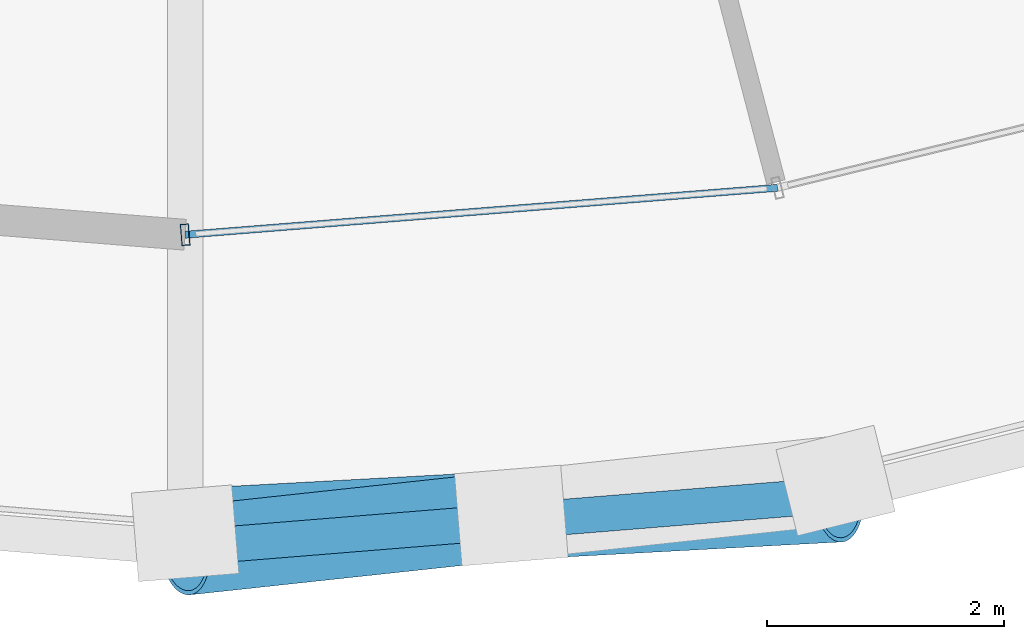
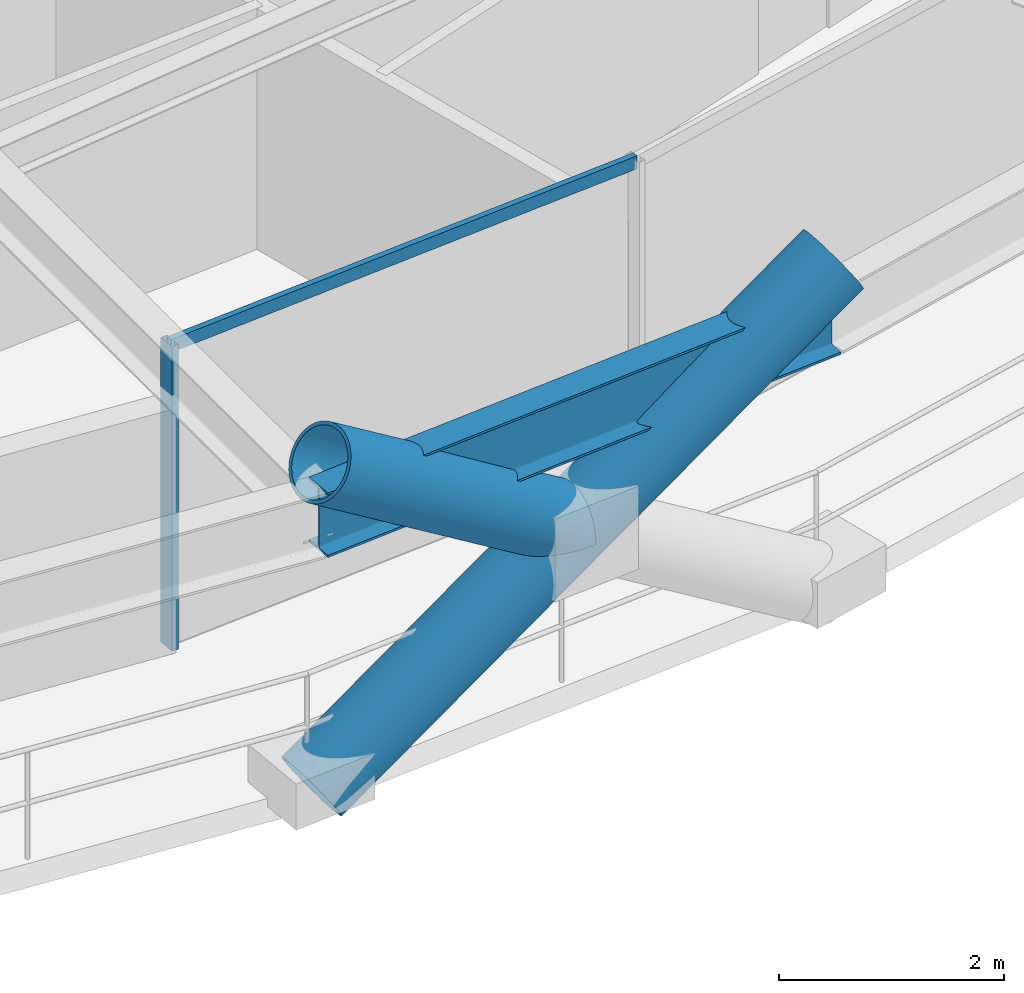
# One storey, part 5 of 19: 4 members, 1 beam, 1 element without a shape of its own.
"""IFC4 building model written with IfcOpenShell, lengths in metres."""

from ifc_helpers import new_model, si_unit, direction, frame, origin, origin_2d, place, context, subcontext, project, spatial, hollow_rectangle, hollow_circle, i_section, extrude, material, layer, layer_set, material_profile, profile_set, type_object, element, aggregate, save


model = new_model("IFC4")

# Units and contexts
model_context = context("Model", 3, precision=1e-05, world=origin(), true_north=direction((0.0, 1.0)))
body_context = subcontext(model_context, "Body", "Model", "MODEL_VIEW")
ifc_project = project(units=[si_unit("LENGTHUNIT", "METRE"), si_unit("AREAUNIT", "SQUARE_METRE"), si_unit("VOLUMEUNIT", "CUBIC_METRE"), si_unit("PLANEANGLEUNIT", "RADIAN"), si_unit("MASSUNIT", "GRAM", prefix="KILO")], contexts=[model_context])

# Site, building, storey
site_placement = place(None, origin())
site = spatial("IfcSite", under=ifc_project, at=site_placement, CompositionType="ELEMENT")
building_placement = place(site_placement, origin())
building = spatial("IfcBuilding", under=site, at=building_placement, Name="Veldorina Hangang Commons", CompositionType="ELEMENT")
storey_placement = place(building_placement, frame((0.0, 0.0, 44.800048828125)))
storey = spatial("IfcBuildingStorey", under=building, at=storey_placement, Name="L10", CompositionType="ELEMENT", Elevation=44.800048828125)

# Beam
ifc_material_1 = material(Name="Steel SM460-TMC", Category="steel")
ifc_material_profile_1 = material_profile(ifc_material_1, i_section(OverallWidth=0.300048828125, OverallDepth=0.699951171875, WebThickness=0.012939453125, FlangeThickness=0.02392578125, FilletRadius=0.02197265625, at=origin_2d()), Name="H-700x300x13x24")
ifc_profile_set_1 = profile_set([ifc_material_profile_1], Name="Steel SM460-TMC")
beam_type = type_object("IfcBeamType", Name="BM-RB700", PredefinedType="BEAM", material=ifc_profile_set_1)
beam_placement = place(storey_placement, frame((32.0, 0.726806640625, 2.989990234375), z_axis=(0.996725012995, 0.08086561983, 0.0), x_axis=(-0.08086561983, 0.996725012995, 0.0)))
element("IfcBeam", 1, at=beam_placement, inside=storey, type_object=beam_type, Name="L10 perimeter hoop ring beam 24", PredefinedType="BEAM", context=body_context, shape_type="SweptSolid", body=[
    extrude(i_section(OverallWidth=0.300048828125, OverallDepth=0.699951171875, WebThickness=0.012939453125, FlangeThickness=0.02392578125, FilletRadius=0.02197265625, at=origin_2d()), origin(), (0.0, 0.0, 1.0), 5.533935546875),
])

# Curtain wall, members
ifc_material_2 = material(Name="Glass Low-E Triple IGU", Category="glass")
ifc_layer = layer(ifc_material_2, 0.179931640625)
ifc_layer_set = layer_set([ifc_layer], Name="Glass Low-E Triple IGU")
curtain_wall_type = type_object("IfcCurtainWallType", Name="CW-SYS-Z1", PredefinedType="NOTDEFINED", material=ifc_layer_set)
curtain_wall_placement = place(storey_placement, origin())
curtain_wall = element("IfcCurtainWall", 2, at=curtain_wall_placement, inside=storey, type_object=curtain_wall_type, Name="L10 unitised curtain wall CW-L10-R2", PredefinedType="NOTDEFINED")
ifc_material_3 = material(Name="Aluminium Anodized AA6063-T6", Category="aluminium")
ifc_material_profile_2 = material_profile(ifc_material_3, hollow_rectangle(XDim=0.070068359375, YDim=0.179931640625, WallThickness=0.00390625, at=origin_2d()), Name="ALU-RHS-180x70x4")
ifc_profile_set_2 = profile_set([ifc_material_profile_2], Name="Aluminium Anodized AA6063-T6")
member_type_1 = type_object("IfcMemberType", Name="CW-MUL-180", PredefinedType="MULLION", material=ifc_profile_set_2)
member_1_placement = place(storey_placement, frame((32.0, 3.369140625, 0.0), z_axis=(0.0, 0.0, 1.0), x_axis=(0.996871979188, 0.079033265847, 0.0)))
member_1 = element("IfcMember", 3, at=member_1_placement, type_object=member_type_1, Name="CW-L10-R2 vertical mullion 1", PredefinedType="MULLION", context=body_context, shape_type="SweptSolid", body=[
    extrude(hollow_rectangle(XDim=0.070068359375, YDim=0.179931640625, WallThickness=0.00390625, at=origin_2d()), origin(), (0.0, 0.0, 1.0), 3.300048828125),
])
ifc_material_profile_3 = material_profile(ifc_material_3, hollow_rectangle(XDim=0.06005859375, YDim=0.139892578125, WallThickness=0.00341796875, at=origin_2d()), Name="ALU-RHS-140x60x3.5")
ifc_profile_set_3 = profile_set([ifc_material_profile_3], Name="Aluminium Anodized AA6063-T6")
member_type_2 = type_object("IfcMemberType", Name="CW-TRN-140", PredefinedType="USERDEFINED", material=ifc_profile_set_3)
member_2_placement = place(storey_placement, frame((32.0, 3.369140625, 3.260009765625), z_axis=(0.996871056752, 0.079044899964, 0.0), x_axis=(-0.079044899964, 0.996871056752, 0.0)))
member_2 = element("IfcMember", 4, at=member_2_placement, type_object=member_type_2, Name="CW-L10-R2 facet 1 transom 1", ObjectType="TRANSOM", PredefinedType="USERDEFINED", context=body_context, shape_type="SweptSolid", body=[
    extrude(hollow_rectangle(XDim=0.06005859375, YDim=0.139892578125, WallThickness=0.00341796875, at=origin_2d()), origin(), (0.0, 0.0, 1.0), 5.015869140625),
])
aggregate(curtain_wall, [member_1, member_2])

# Members
ifc_material_profile_4 = material_profile(ifc_material_1, hollow_circle(Radius=0.375, WallThickness=0.035888671875, at=origin_2d()), Name="CHS-750x36")
ifc_profile_set_4 = profile_set([ifc_material_profile_4], Name="Steel SM460-TMC")
member_type_3 = type_object("IfcMemberType", Name="DG-CHS750", PredefinedType="BRACE", material=ifc_profile_set_4)
member_3_placement = place(storey_placement, frame((32.0, 0.84912109375, 0.0), z_axis=(0.83678527237, 0.045552676349, 0.545632991691), x_axis=(-0.054357229541, 0.998521552895, 0.0)))
element("IfcMember", 5, at=member_3_placement, inside=storey, type_object=member_type_3, Name="L10 continuous perimeter diagrid brace 24", PredefinedType="BRACE", context=body_context, shape_type="SweptSolid", body=[
    extrude(hollow_circle(Radius=0.375, WallThickness=0.035888671875, at=origin_2d()), origin(), (0.0, 0.0, 1.0), 6.59765625),
])
member_4_placement = place(storey_placement, frame((34.753173828125, 0.9990234375, 1.795166015625), z_axis=(-0.832952180971, -0.089891177108, 0.545994725702), x_axis=(0.10729577336, -0.994227145586, 0.0)))
element("IfcMember", 6, at=member_4_placement, inside=storey, type_object=member_type_3, Name="L10 split perimeter diagrid upper brace 25", PredefinedType="BRACE", context=body_context, shape_type="SweptSolid", body=[
    extrude(hollow_circle(Radius=0.375, WallThickness=0.035888671875, at=origin_2d()), origin(), (0.0, 0.0, 1.0), 3.305419921875),
])

save(model, "model.ifc")
